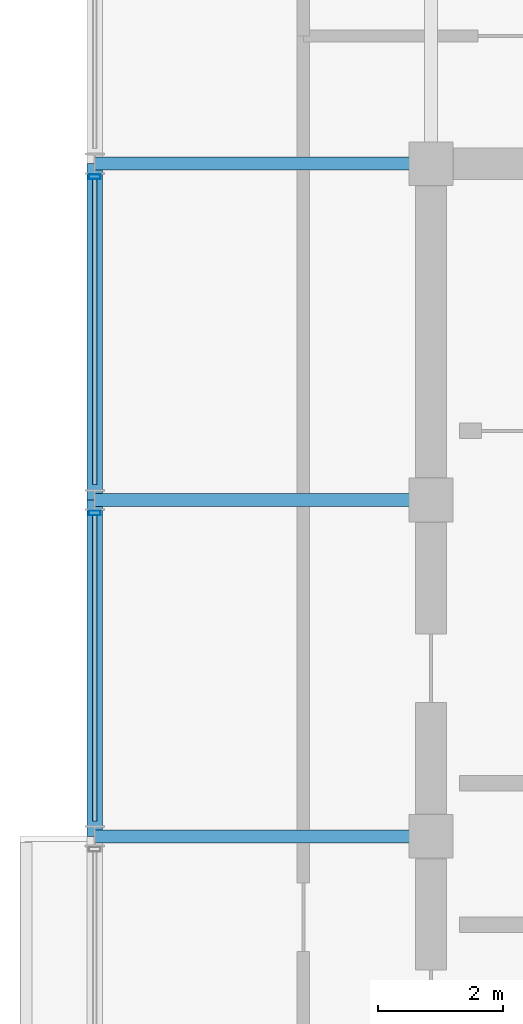
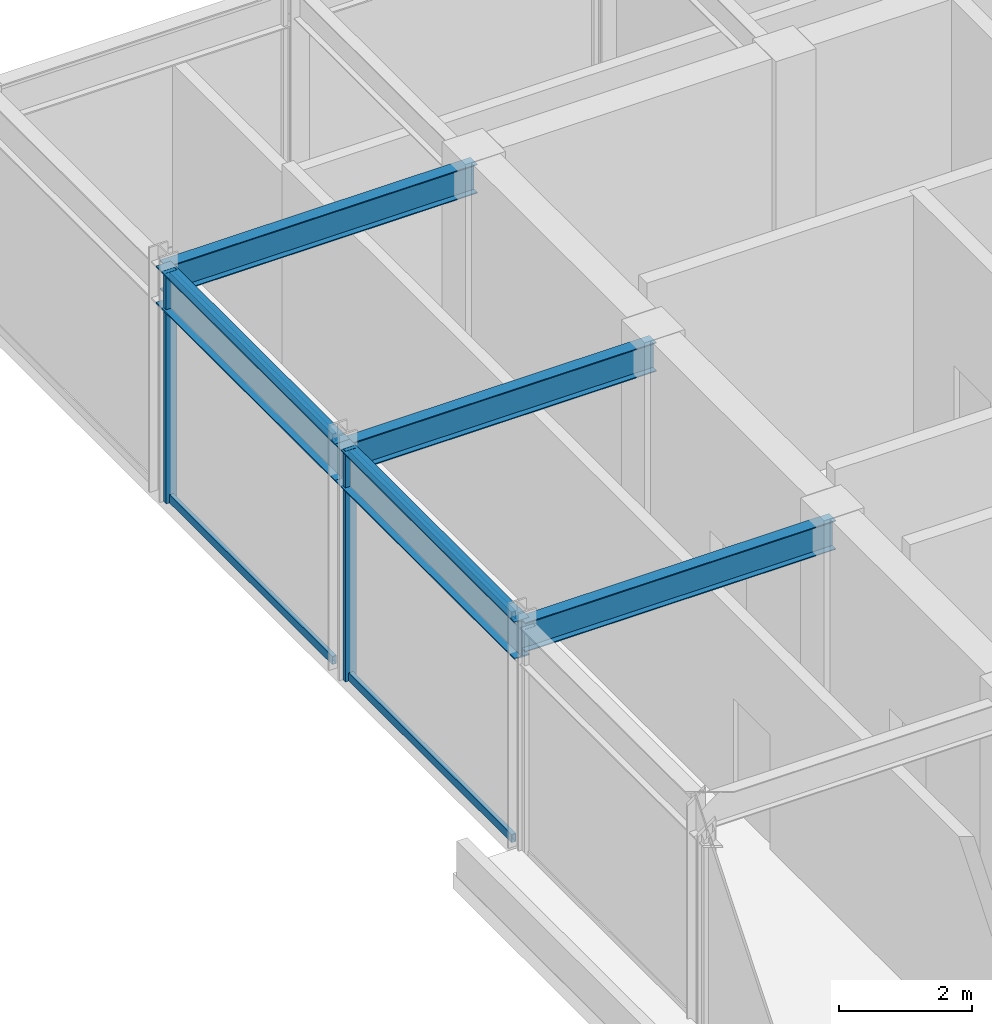
# One storey, part 7 of 18: 6 members, 5 beams, 1 element without a shape of its own.
"""IFC4 building model written with IfcOpenShell, lengths in metres."""

from ifc_helpers import new_model, si_unit, direction, frame, origin, origin_2d, place, context, subcontext, project, spatial, hollow_rectangle, i_section, extrude, material, layer, layer_set, material_profile, profile_set, type_object, element, aggregate, save


model = new_model("IFC4")

# Units and contexts
model_context = context("Model", 3, precision=1e-05, world=origin(), true_north=direction((0.0, 1.0)))
body_context = subcontext(model_context, "Body", "Model", "MODEL_VIEW")
ifc_project = project(units=[si_unit("LENGTHUNIT", "METRE"), si_unit("AREAUNIT", "SQUARE_METRE"), si_unit("VOLUMEUNIT", "CUBIC_METRE"), si_unit("PLANEANGLEUNIT", "RADIAN"), si_unit("MASSUNIT", "GRAM", prefix="KILO")], contexts=[model_context])

# Site, building, storey
site_placement = place(None, origin())
site = spatial("IfcSite", under=ifc_project, at=site_placement, CompositionType="ELEMENT")
building_placement = place(site_placement, origin())
building = spatial("IfcBuilding", under=site, at=building_placement, Name="Surkhivell Harbour Commons", CompositionType="ELEMENT")
storey_placement = place(building_placement, frame((0.0, 0.0, 360.0)))
storey = spatial("IfcBuildingStorey", under=building, at=storey_placement, Name="L93", CompositionType="ELEMENT", Elevation=360.0)

# Beams
ifc_material_1 = material(Name="Steel S355", Category="steel")
ifc_material_profile_1 = material_profile(ifc_material_1, i_section(OverallWidth=0.2099609375, OverallDepth=0.537109375, WebThickness=0.0107421875, FlangeThickness=0.017333984375, at=origin_2d()), Name="UB533x210x101")
ifc_profile_set_1 = profile_set([ifc_material_profile_1], Name="Steel S355")
beam_type_1 = type_object("IfcBeamType", Name="BM-GRD-533B", PredefinedType="BEAM", material=ifc_profile_set_1)
for number, where, z_axis, x_axis, name in (
    (1, (-16.199951171875, 0.0, 3.971435546875), (1.0, 0.0, 0.0), (0.0, 1.0, 0.0), "L93 Floor Girder (-16.2,0.0)"),
    (2, (-16.199951171875, 5.39990234375, 3.971435546875), (1.0, 0.0, 0.0), (0.0, 1.0, 0.0), "L93 Floor Girder (-16.2,5.4)"),
    (3, (-16.199951171875, 10.800048828125, 3.971435546875), (1.0, 0.0, 0.0), (0.0, 1.0, 0.0), "L93 Floor Girder (-16.2,10.8)"),
):
    element("IfcBeam", number, at=place(storey_placement, frame(where, z_axis=z_axis, x_axis=x_axis)), inside=storey, type_object=beam_type_1, Name=name, PredefinedType="BEAM", context=body_context, shape_type="SweptSolid", body=[
        extrude(i_section(OverallWidth=0.2099609375, OverallDepth=0.537109375, WebThickness=0.0107421875, FlangeThickness=0.017333984375, at=origin_2d()), origin(), (0.0, 0.0, 1.0), 5.39990234375),
    ])
ifc_material_profile_2 = material_profile(ifc_material_1, i_section(OverallWidth=0.256103515625, OverallDepth=0.693115234375, WebThickness=0.014404296875, FlangeThickness=0.023681640625, at=origin_2d()), Name="UB686x254x170")
ifc_profile_set_2 = profile_set([ifc_material_profile_2], Name="Steel S355")
beam_type_2 = type_object("IfcBeamType", Name="BM-SPN-686", PredefinedType="SPANDREL", material=ifc_profile_set_2)
beam_1_placement = place(storey_placement, frame((-16.199951171875, 0.0, 3.8935546875), z_axis=(0.0, 1.0, 0.0), x_axis=(-1.0, 0.0, 0.0)))
element("IfcBeam", 4, at=beam_1_placement, inside=storey, type_object=beam_type_2, Name="L93 Tube Spandrel (-16.2,0.0)", PredefinedType="SPANDREL", context=body_context, shape_type="SweptSolid", body=[
    extrude(i_section(OverallWidth=0.256103515625, OverallDepth=0.693115234375, WebThickness=0.014404296875, FlangeThickness=0.023681640625, at=origin_2d()), origin(), (0.0, 0.0, 1.0), 5.39990234375),
])
beam_2_placement = place(storey_placement, frame((-16.199951171875, 5.39990234375, 3.8935546875), z_axis=(0.0, 1.0, 0.0), x_axis=(-1.0, 0.0, 0.0)))
element("IfcBeam", 5, at=beam_2_placement, inside=storey, type_object=beam_type_2, Name="L93 Tube Spandrel (-16.2,5.4)", PredefinedType="SPANDREL", context=body_context, shape_type="SweptSolid", body=[
    extrude(i_section(OverallWidth=0.256103515625, OverallDepth=0.693115234375, WebThickness=0.014404296875, FlangeThickness=0.023681640625, at=origin_2d()), origin(), (0.0, 0.0, 1.0), 5.400146484375),
])

# Curtain wall, members
ifc_material_2 = material(Name="Anodised pale-metal aluminium and insulated glazing", Category="aluminium")
ifc_layer = layer(ifc_material_2, 0.22998046875)
ifc_layer_set = layer_set([ifc_layer], Name="Anodised pale-metal aluminium and insulated glazing")
curtain_wall_type = type_object("IfcCurtainWallType", Name="CW-SYS-CRN", PredefinedType="NOTDEFINED", material=ifc_layer_set)
curtain_wall_placement = place(storey_placement, origin())
curtain_wall = element("IfcCurtainWall", 6, at=curtain_wall_placement, inside=storey, type_object=curtain_wall_type, Name="L93 Curtain Wall CW-L93-C03S1", PredefinedType="NOTDEFINED")
ifc_material_3 = material(Name="Anodised pale-metal aluminium alloy 6063-T6", Category="aluminium")
ifc_material_profile_3 = material_profile(ifc_material_3, hollow_rectangle(XDim=0.074951171875, YDim=0.18994140625, WallThickness=0.00390625, at=origin_2d()), Name="ALU-MULL-75x190")
ifc_profile_set_3 = profile_set([ifc_material_profile_3], Name="Anodised pale-metal aluminium alloy 6063-T6")
member_type_1 = type_object("IfcMemberType", Name="CWM-190", PredefinedType="MULLION", material=ifc_profile_set_3)
member_1_placement = place(storey_placement, frame((-16.199951171875, 10.590576171875, 0.0), z_axis=(0.0, 0.0, 1.0), x_axis=(0.0, -1.0, 0.0)))
member_1 = element("IfcMember", 7, at=member_1_placement, type_object=member_type_1, Name="CW-CRN mullion 2", PredefinedType="MULLION", context=body_context, shape_type="SweptSolid", body=[
    extrude(hollow_rectangle(XDim=0.074951171875, YDim=0.18994140625, WallThickness=0.00390625, at=origin_2d()), origin(), (0.0, 0.0, 1.0), 4.239990234375),
])
member_2_placement = place(storey_placement, frame((-16.199951171875, 5.1904296875, 0.0), z_axis=(0.0, 0.0, 1.0), x_axis=(0.0, -1.0, 0.0)))
member_2 = element("IfcMember", 8, at=member_2_placement, type_object=member_type_1, Name="CW-CRN mullion 3", PredefinedType="MULLION", context=body_context, shape_type="SweptSolid", body=[
    extrude(hollow_rectangle(XDim=0.074951171875, YDim=0.18994140625, WallThickness=0.00390625, at=origin_2d()), origin(), (0.0, 0.0, 1.0), 4.239990234375),
])
ifc_material_profile_4 = material_profile(ifc_material_3, hollow_rectangle(XDim=0.074951171875, YDim=0.14990234375, WallThickness=0.00341796875, at=origin_2d()), Name="ALU-TRAN-75x150")
ifc_profile_set_4 = profile_set([ifc_material_profile_4], Name="Anodised pale-metal aluminium alloy 6063-T6")
member_type_2 = type_object("IfcMemberType", Name="CWT-150", PredefinedType="USERDEFINED", material=ifc_profile_set_4)
member_3_placement = place(storey_placement, frame((-16.199951171875, 10.552978515625, 0.074951171875), z_axis=(0.0, -1.0, 0.0), x_axis=(1.0, 0.0, 0.0)))
member_3 = element("IfcMember", 9, at=member_3_placement, type_object=member_type_2, Name="CW-CRN transom 2.1", ObjectType="TRANSOM", PredefinedType="USERDEFINED", context=body_context, shape_type="SweptSolid", body=[
    extrude(hollow_rectangle(XDim=0.074951171875, YDim=0.14990234375, WallThickness=0.00341796875, at=origin_2d()), origin(), (0.0, 0.0, 1.0), 4.906005859375),
])
member_4_placement = place(storey_placement, frame((-16.199951171875, 10.552978515625, 4.1650390625), z_axis=(0.0, -1.0, 0.0), x_axis=(1.0, 0.0, 0.0)))
member_4 = element("IfcMember", 10, at=member_4_placement, type_object=member_type_2, Name="CW-CRN transom 2.2", ObjectType="TRANSOM", PredefinedType="USERDEFINED", context=body_context, shape_type="SweptSolid", body=[
    extrude(hollow_rectangle(XDim=0.074951171875, YDim=0.14990234375, WallThickness=0.00341796875, at=origin_2d()), origin(), (0.0, 0.0, 1.0), 4.906005859375),
])
member_5_placement = place(storey_placement, frame((-16.199951171875, 5.153076171875, 0.074951171875), z_axis=(0.0, -1.0, 0.0), x_axis=(1.0, 0.0, 0.0)))
member_5 = element("IfcMember", 11, at=member_5_placement, type_object=member_type_2, Name="CW-CRN transom 3.1", ObjectType="TRANSOM", PredefinedType="USERDEFINED", context=body_context, shape_type="SweptSolid", body=[
    extrude(hollow_rectangle(XDim=0.074951171875, YDim=0.14990234375, WallThickness=0.00341796875, at=origin_2d()), origin(), (0.0, 0.0, 1.0), 4.906005859375),
])
member_6_placement = place(storey_placement, frame((-16.199951171875, 5.153076171875, 4.1650390625), z_axis=(0.0, -1.0, 0.0), x_axis=(1.0, 0.0, 0.0)))
member_6 = element("IfcMember", 12, at=member_6_placement, type_object=member_type_2, Name="CW-CRN transom 3.2", ObjectType="TRANSOM", PredefinedType="USERDEFINED", context=body_context, shape_type="SweptSolid", body=[
    extrude(hollow_rectangle(XDim=0.074951171875, YDim=0.14990234375, WallThickness=0.00341796875, at=origin_2d()), origin(), (0.0, 0.0, 1.0), 4.906005859375),
])
aggregate(curtain_wall, [member_1, member_3, member_4, member_2, member_5, member_6])

save(model, "model.ifc")
